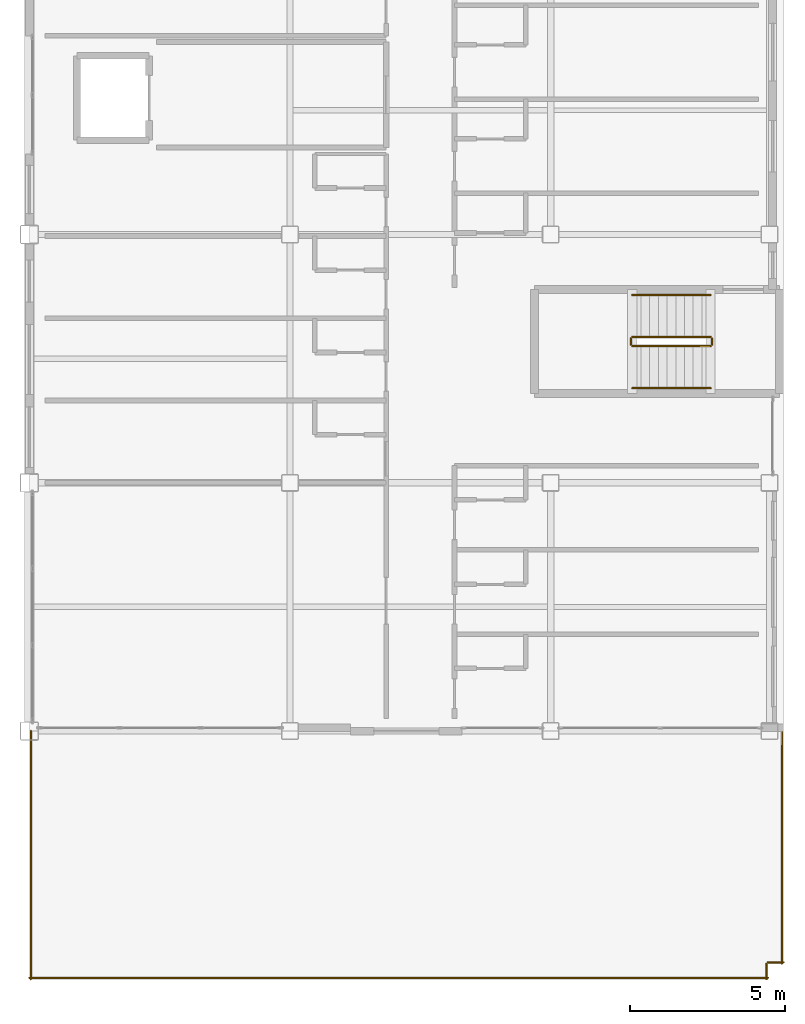
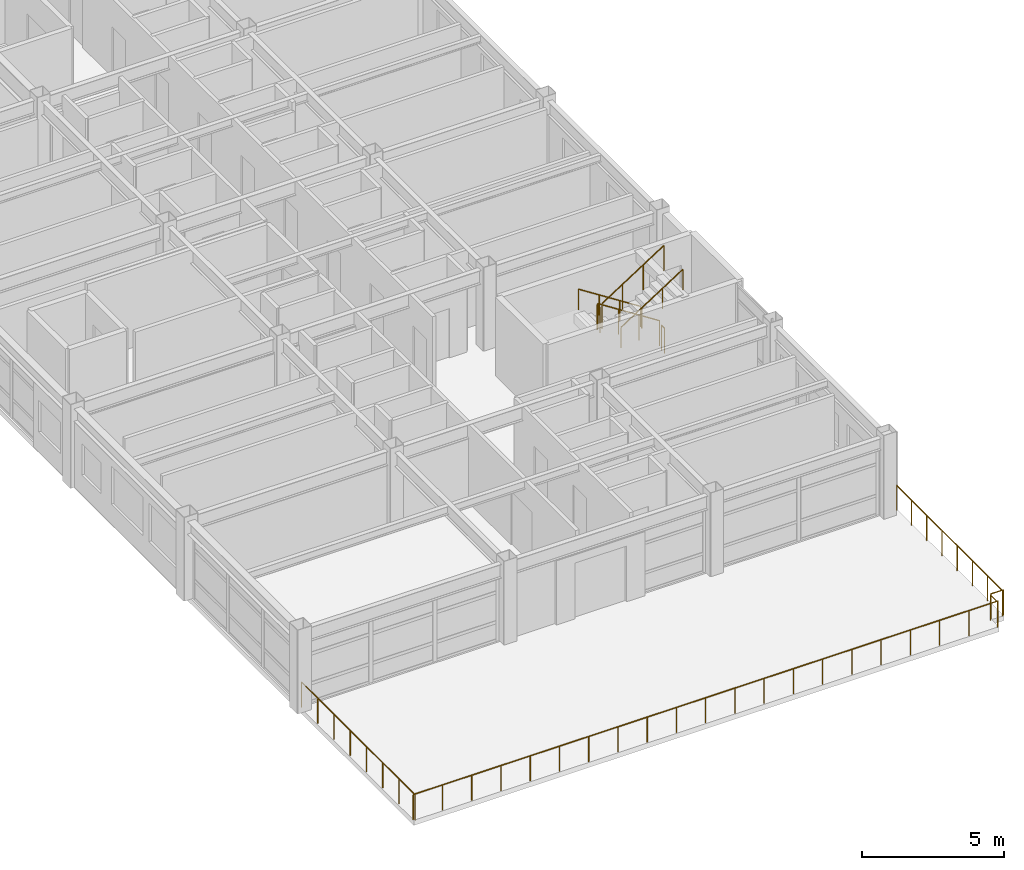
# One storey, part 34 of 36: 11 railings.
"""IFC4 building model written with IfcOpenShell, lengths in metres."""

from ifc_helpers import new_model, si_unit, direction, frame, origin, origin_2d, place, context, subcontext, project, spatial, circle, extrude, material, type_object, element, save


model = new_model("IFC4")

# Units and contexts
model_context = context("Model", 3, precision=1e-05, world=origin(), true_north=direction((0.0, 1.0)))
body_context = subcontext(model_context, "Body", "Model", "MODEL_VIEW")
ifc_project = project(units=[si_unit("LENGTHUNIT", "METRE"), si_unit("AREAUNIT", "SQUARE_METRE"), si_unit("VOLUMEUNIT", "CUBIC_METRE"), si_unit("PLANEANGLEUNIT", "RADIAN"), si_unit("MASSUNIT", "GRAM", prefix="KILO")], contexts=[model_context])

# Site, building, storey
site_placement = place(None, origin())
site = spatial("IfcSite", under=ifc_project, at=site_placement, CompositionType="ELEMENT")
building_placement = place(site_placement, origin())
building = spatial("IfcBuilding", under=site, at=building_placement, Name="Kazehara Bluff Congress Hotel", CompositionType="ELEMENT")
storey_placement = place(building_placement, frame((0.0, 0.0, 31.800048828125)))
storey = spatial("IfcBuildingStorey", under=building, at=storey_placement, Name="L07", CompositionType="ELEMENT", Elevation=31.800048828125)

# Railings
ifc_material_1 = material(Name="Painted galvanised steel", Category="steel")
railing_type_1 = type_object("IfcRailingType", Name="TP-GRD-EXT", PredefinedType="BALUSTRADE", material=ifc_material_1)
railing_1_placement = place(storey_placement, frame((143.75, 8.0, 0.0)))
element("IfcRailing", 1, at=railing_1_placement, inside=storey, type_object=railing_type_1, Name="South Bluff Sky Terrace edge guard 1", PredefinedType="BALUSTRADE", context=body_context, shape_type="SweptSolid", body=[
    extrude(circle(Radius=0.02392578125, at=origin_2d()), frame((0.0, 0.0, 1.076171875), z_axis=(0.0, -1.0, 0.0), x_axis=(1.0, 0.0, 0.0)), (0.0, 0.0, 1.0), 8.0),
    extrude(circle(Radius=0.02099609375, at=origin_2d()), origin(), (0.0, 0.0, 1.0), 1.052001953125),
    extrude(circle(Radius=0.02099609375, at=origin_2d()), frame((0.0, -1.142822265625, 0.0)), (0.0, 0.0, 1.0), 1.052001953125),
    extrude(circle(Radius=0.02099609375, at=origin_2d()), frame((0.0, -2.28564453125, 0.0)), (0.0, 0.0, 1.0), 1.052001953125),
    extrude(circle(Radius=0.02099609375, at=origin_2d()), frame((0.0, -3.428466796875, 0.0)), (0.0, 0.0, 1.0), 1.052001953125),
    extrude(circle(Radius=0.02099609375, at=origin_2d()), frame((0.0, -4.571533203125, 0.0)), (0.0, 0.0, 1.0), 1.052001953125),
    extrude(circle(Radius=0.02099609375, at=origin_2d()), frame((0.0, -5.71435546875, 0.0)), (0.0, 0.0, 1.0), 1.052001953125),
    extrude(circle(Radius=0.02099609375, at=origin_2d()), frame((0.0, -6.857177734375, 0.0)), (0.0, 0.0, 1.0), 1.052001953125),
    extrude(circle(Radius=0.02099609375, at=origin_2d()), frame((0.0, -8.0, 0.0)), (0.0, 0.0, 1.0), 1.052001953125),
])
railing_2_placement = place(storey_placement, frame((143.699951171875, 0.050048828125, 0.0)))
element("IfcRailing", 2, at=railing_2_placement, inside=storey, type_object=railing_type_1, Name="South Bluff Sky Terrace edge guard 2", PredefinedType="BALUSTRADE", context=body_context, shape_type="SweptSolid", body=[
    extrude(circle(Radius=0.02392578125, at=origin_2d()), frame((0.0, 0.0, 1.076171875), z_axis=(1.0, 0.0, 0.0), x_axis=(0.0, 1.0, 0.0)), (0.0, 0.0, 1.0), 23.800048828125),
    extrude(circle(Radius=0.02099609375, at=origin_2d()), origin(), (0.0, 0.0, 1.0), 1.052001953125),
    extrude(circle(Radius=0.02099609375, at=origin_2d()), frame((1.18994140625, 0.0, 0.0)), (0.0, 0.0, 1.0), 1.052001953125),
    extrude(circle(Radius=0.02099609375, at=origin_2d()), frame((2.3798828125, 0.0, 0.0)), (0.0, 0.0, 1.0), 1.052001953125),
    extrude(circle(Radius=0.02099609375, at=origin_2d()), frame((3.570068359375, 0.0, 0.0)), (0.0, 0.0, 1.0), 1.052001953125),
    extrude(circle(Radius=0.02099609375, at=origin_2d()), frame((4.760009765625, 0.0, 0.0)), (0.0, 0.0, 1.0), 1.052001953125),
    extrude(circle(Radius=0.02099609375, at=origin_2d()), frame((5.949951171875, 0.0, 0.0)), (0.0, 0.0, 1.0), 1.052001953125),
    extrude(circle(Radius=0.02099609375, at=origin_2d()), frame((7.14013671875, 0.0, 0.0)), (0.0, 0.0, 1.0), 1.052001953125),
    extrude(circle(Radius=0.02099609375, at=origin_2d()), frame((8.330078125, 0.0, 0.0)), (0.0, 0.0, 1.0), 1.052001953125),
    extrude(circle(Radius=0.02099609375, at=origin_2d()), frame((9.52001953125, 0.0, 0.0)), (0.0, 0.0, 1.0), 1.052001953125),
    extrude(circle(Radius=0.02099609375, at=origin_2d()), frame((10.7099609375, 0.0, 0.0)), (0.0, 0.0, 1.0), 1.052001953125),
    extrude(circle(Radius=0.02099609375, at=origin_2d()), frame((11.89990234375, 0.0, 0.0)), (0.0, 0.0, 1.0), 1.052001953125),
    extrude(circle(Radius=0.02099609375, at=origin_2d()), frame((13.090087890625, 0.0, 0.0)), (0.0, 0.0, 1.0), 1.052001953125),
    extrude(circle(Radius=0.02099609375, at=origin_2d()), frame((14.280029296875, 0.0, 0.0)), (0.0, 0.0, 1.0), 1.052001953125),
    extrude(circle(Radius=0.02099609375, at=origin_2d()), frame((15.469970703125, 0.0, 0.0)), (0.0, 0.0, 1.0), 1.052001953125),
    extrude(circle(Radius=0.02099609375, at=origin_2d()), frame((16.66015625, 0.0, 0.0)), (0.0, 0.0, 1.0), 1.052001953125),
    extrude(circle(Radius=0.02099609375, at=origin_2d()), frame((17.85009765625, 0.0, 0.0)), (0.0, 0.0, 1.0), 1.052001953125),
    extrude(circle(Radius=0.02099609375, at=origin_2d()), frame((19.0400390625, 0.0, 0.0)), (0.0, 0.0, 1.0), 1.052001953125),
    extrude(circle(Radius=0.02099609375, at=origin_2d()), frame((20.22998046875, 0.0, 0.0)), (0.0, 0.0, 1.0), 1.052001953125),
    extrude(circle(Radius=0.02099609375, at=origin_2d()), frame((21.419921875, 0.0, 0.0)), (0.0, 0.0, 1.0), 1.052001953125),
    extrude(circle(Radius=0.02099609375, at=origin_2d()), frame((22.610107421875, 0.0, 0.0)), (0.0, 0.0, 1.0), 1.052001953125),
    extrude(circle(Radius=0.02099609375, at=origin_2d()), frame((23.800048828125, 0.0, 0.0)), (0.0, 0.0, 1.0), 1.052001953125),
])
railing_3_placement = place(storey_placement, frame((167.449951171875, 0.0, 0.0)))
element("IfcRailing", 3, at=railing_3_placement, inside=storey, type_object=railing_type_1, Name="South Bluff Sky Terrace edge guard 3", PredefinedType="BALUSTRADE", context=body_context, shape_type="SweptSolid", body=[
    extrude(circle(Radius=0.02392578125, at=origin_2d()), frame((0.0, 0.0, 1.076171875), z_axis=(0.0, 1.0, 0.0), x_axis=(-1.0, 0.0, 0.0)), (0.0, 0.0, 1.0), 0.5),
    extrude(circle(Radius=0.02099609375, at=origin_2d()), origin(), (0.0, 0.0, 1.0), 1.052001953125),
    extrude(circle(Radius=0.02099609375, at=origin_2d()), frame((0.0, 0.5, 0.0)), (0.0, 0.0, 1.0), 1.052001953125),
])
railing_4_placement = place(storey_placement, frame((167.5, 0.550048828125, 0.0)))
element("IfcRailing", 4, at=railing_4_placement, inside=storey, type_object=railing_type_1, Name="South Bluff Sky Terrace edge guard 4", PredefinedType="BALUSTRADE", context=body_context, shape_type="SweptSolid", body=[
    extrude(circle(Radius=0.02392578125, at=origin_2d()), frame((0.0, 0.0, 1.076171875), z_axis=(1.0, 0.0, 0.0), x_axis=(0.0, 1.0, 0.0)), (0.0, 0.0, 1.0), 0.5),
    extrude(circle(Radius=0.02099609375, at=origin_2d()), origin(), (0.0, 0.0, 1.0), 1.052001953125),
    extrude(circle(Radius=0.02099609375, at=origin_2d()), frame((0.5, 0.0, 0.0)), (0.0, 0.0, 1.0), 1.052001953125),
])
railing_5_placement = place(storey_placement, frame((167.949951171875, 0.5, 0.0)))
element("IfcRailing", 5, at=railing_5_placement, inside=storey, type_object=railing_type_1, Name="South Bluff Sky Terrace edge guard 5", PredefinedType="BALUSTRADE", context=body_context, shape_type="SweptSolid", body=[
    extrude(circle(Radius=0.02392578125, at=origin_2d()), frame((0.0, 0.0, 1.076171875), z_axis=(0.0, 1.0, 0.0), x_axis=(-1.0, 0.0, 0.0)), (0.0, 0.0, 1.0), 7.5),
    extrude(circle(Radius=0.02099609375, at=origin_2d()), origin(), (0.0, 0.0, 1.0), 1.052001953125),
    extrude(circle(Radius=0.02099609375, at=origin_2d()), frame((0.0, 1.071533203125, 0.0)), (0.0, 0.0, 1.0), 1.052001953125),
    extrude(circle(Radius=0.02099609375, at=origin_2d()), frame((0.0, 2.142822265625, 0.0)), (0.0, 0.0, 1.0), 1.052001953125),
    extrude(circle(Radius=0.02099609375, at=origin_2d()), frame((0.0, 3.21435546875, 0.0)), (0.0, 0.0, 1.0), 1.052001953125),
    extrude(circle(Radius=0.02099609375, at=origin_2d()), frame((0.0, 4.28564453125, 0.0)), (0.0, 0.0, 1.0), 1.052001953125),
    extrude(circle(Radius=0.02099609375, at=origin_2d()), frame((0.0, 5.357177734375, 0.0)), (0.0, 0.0, 1.0), 1.052001953125),
    extrude(circle(Radius=0.02099609375, at=origin_2d()), frame((0.0, 6.428466796875, 0.0)), (0.0, 0.0, 1.0), 1.052001953125),
    extrude(circle(Radius=0.02099609375, at=origin_2d()), frame((0.0, 7.5, 0.0)), (0.0, 0.0, 1.0), 1.052001953125),
])
ifc_material_2 = material(Name="Brushed stainless steel", Category="steel")
railing_type_2 = type_object("IfcRailingType", Name="TP-GRD-INT", PredefinedType="GUARDRAIL", material=ifc_material_2)
railing_6_placement = place(storey_placement, frame((165.64990234375, 20.699951171875, 0.179931640625)))
element("IfcRailing", 6, at=railing_6_placement, inside=storey, type_object=railing_type_2, Name="L07 ST-10 stair guard 1", PredefinedType="GUARDRAIL", context=body_context, shape_type="SweptSolid", body=[
    extrude(circle(Radius=0.02392578125, at=origin_2d()), frame((0.0, 0.0, 1.076171875), z_axis=(-0.841162588446, 0.0, 0.540782303519), x_axis=(0.0, -1.0, 0.0)), (0.0, 0.0, 1.0), 2.995849609375),
    extrude(circle(Radius=0.02099609375, at=origin_2d()), origin(), (0.0, 0.0, 1.0), 1.052001953125),
    extrude(circle(Radius=0.02099609375, at=origin_2d()), frame((-0.840087890625, 0.0, 0.5400390625)), (0.0, 0.0, 1.0), 1.052001953125),
    extrude(circle(Radius=0.02099609375, at=origin_2d()), frame((-1.679931640625, 0.0, 1.080078125)), (0.0, 0.0, 1.0), 1.052001953125),
    extrude(circle(Radius=0.02099609375, at=origin_2d()), frame((-2.52001953125, 0.0, 1.6201171875)), (0.0, 0.0, 1.0), 1.052001953125),
])
railing_7_placement = place(storey_placement, frame((163.080078125, 20.64990234375, 1.800048828125)))
element("IfcRailing", 7, at=railing_7_placement, inside=storey, type_object=railing_type_2, Name="L07 ST-10 stair guard 2", PredefinedType="GUARDRAIL", context=body_context, shape_type="SweptSolid", body=[
    extrude(circle(Radius=0.02392578125, at=origin_2d()), frame((0.0, 0.0, 1.076171875), z_axis=(0.0, -1.0, 0.0), x_axis=(1.0, 0.0, 0.0)), (0.0, 0.0, 1.0), 0.199951171875),
    extrude(circle(Radius=0.02099609375, at=origin_2d()), origin(), (0.0, 0.0, 1.0), 1.052001953125),
    extrude(circle(Radius=0.02099609375, at=origin_2d()), frame((0.0, -0.199951171875, 0.0)), (0.0, 0.0, 1.0), 1.052001953125),
])
railing_8_placement = place(storey_placement, frame((163.1298828125, 20.39990234375, 1.97998046875)))
element("IfcRailing", 8, at=railing_8_placement, inside=storey, type_object=railing_type_2, Name="L07 ST-10 stair guard 3", PredefinedType="GUARDRAIL", context=body_context, shape_type="SweptSolid", body=[
    extrude(circle(Radius=0.02392578125, at=origin_2d()), frame((0.0, 0.0, 1.076171875), z_axis=(0.841199657755, 0.0, 0.540724639528), x_axis=(0.0, 1.0, 0.0)), (0.0, 0.0, 1.0), 2.995849609375),
    extrude(circle(Radius=0.02099609375, at=origin_2d()), origin(), (0.0, 0.0, 1.0), 1.052001953125),
    extrude(circle(Radius=0.02099609375, at=origin_2d()), frame((0.840087890625, 0.0, 0.5400390625)), (0.0, 0.0, 1.0), 1.052001953125),
    extrude(circle(Radius=0.02099609375, at=origin_2d()), frame((1.679931640625, 0.0, 1.079833984375)), (0.0, 0.0, 1.0), 1.052001953125),
    extrude(circle(Radius=0.02099609375, at=origin_2d()), frame((2.52001953125, 0.0, 1.619873046875)), (0.0, 0.0, 1.0), 1.052001953125),
])
railing_9_placement = place(storey_placement, frame((165.699951171875, 20.64990234375, 0.0)))
element("IfcRailing", 9, at=railing_9_placement, inside=storey, type_object=railing_type_2, Name="L07 ST-10 stair guard 4", PredefinedType="GUARDRAIL", context=body_context, shape_type="SweptSolid", body=[
    extrude(circle(Radius=0.02392578125, at=origin_2d()), frame((0.0, 0.0, 1.076171875), z_axis=(0.0, -1.0, 0.0), x_axis=(1.0, 0.0, 0.0)), (0.0, 0.0, 1.0), 0.199951171875),
    extrude(circle(Radius=0.02099609375, at=origin_2d()), origin(), (0.0, 0.0, 1.0), 1.052001953125),
    extrude(circle(Radius=0.02099609375, at=origin_2d()), frame((0.0, -0.199951171875, 0.0)), (0.0, 0.0, 1.0), 1.052001953125),
])
ifc_material_3 = material(Name="Brushed stainless steel", Category="steel")
railing_type_3 = type_object("IfcRailingType", Name="TP-HR-INT", PredefinedType="HANDRAIL", material=ifc_material_3)
railing_10_placement = place(storey_placement, frame((165.64990234375, 22.050048828125, 0.179931640625)))
element("IfcRailing", 10, at=railing_10_placement, inside=storey, type_object=railing_type_3, Name="L07 ST-10 stair handrail 1", PredefinedType="HANDRAIL", context=body_context, shape_type="SweptSolid", body=[
    extrude(circle(Radius=0.02392578125, at=origin_2d()), frame((0.0, 0.0, 0.8759765625), z_axis=(-0.841162588446, 0.0, 0.540782303519), x_axis=(0.0, -1.0, 0.0)), (0.0, 0.0, 1.0), 2.995849609375),
    extrude(circle(Radius=0.02099609375, at=origin_2d()), origin(), (0.0, 0.0, 1.0), 0.851806640625),
    extrude(circle(Radius=0.02099609375, at=origin_2d()), frame((-0.840087890625, 0.0, 0.5400390625)), (0.0, 0.0, 1.0), 0.851806640625),
    extrude(circle(Radius=0.02099609375, at=origin_2d()), frame((-1.679931640625, 0.0, 1.080078125)), (0.0, 0.0, 1.0), 0.851806640625),
    extrude(circle(Radius=0.02099609375, at=origin_2d()), frame((-2.52001953125, 0.0, 1.6201171875)), (0.0, 0.0, 1.0), 0.851806640625),
])
railing_11_placement = place(storey_placement, frame((163.1298828125, 19.050048828125, 1.97998046875)))
element("IfcRailing", 11, at=railing_11_placement, inside=storey, type_object=railing_type_3, Name="L07 ST-10 stair handrail 2", PredefinedType="HANDRAIL", context=body_context, shape_type="SweptSolid", body=[
    extrude(circle(Radius=0.02392578125, at=origin_2d()), frame((0.0, 0.0, 0.8759765625), z_axis=(0.841199657755, 0.0, 0.540724639528), x_axis=(0.0, 1.0, 0.0)), (0.0, 0.0, 1.0), 2.995849609375),
    extrude(circle(Radius=0.02099609375, at=origin_2d()), origin(), (0.0, 0.0, 1.0), 0.851806640625),
    extrude(circle(Radius=0.02099609375, at=origin_2d()), frame((0.840087890625, 0.0, 0.5400390625)), (0.0, 0.0, 1.0), 0.851806640625),
    extrude(circle(Radius=0.02099609375, at=origin_2d()), frame((1.679931640625, 0.0, 1.079833984375)), (0.0, 0.0, 1.0), 0.851806640625),
    extrude(circle(Radius=0.02099609375, at=origin_2d()), frame((2.52001953125, 0.0, 1.619873046875)), (0.0, 0.0, 1.0), 0.851806640625),
])

save(model, "model.ifc")
